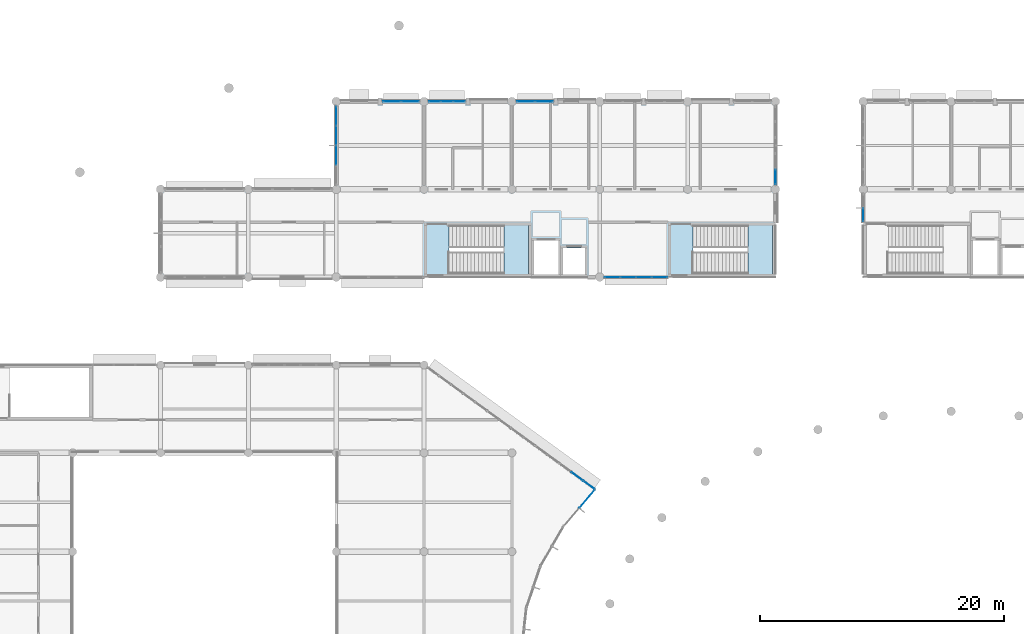
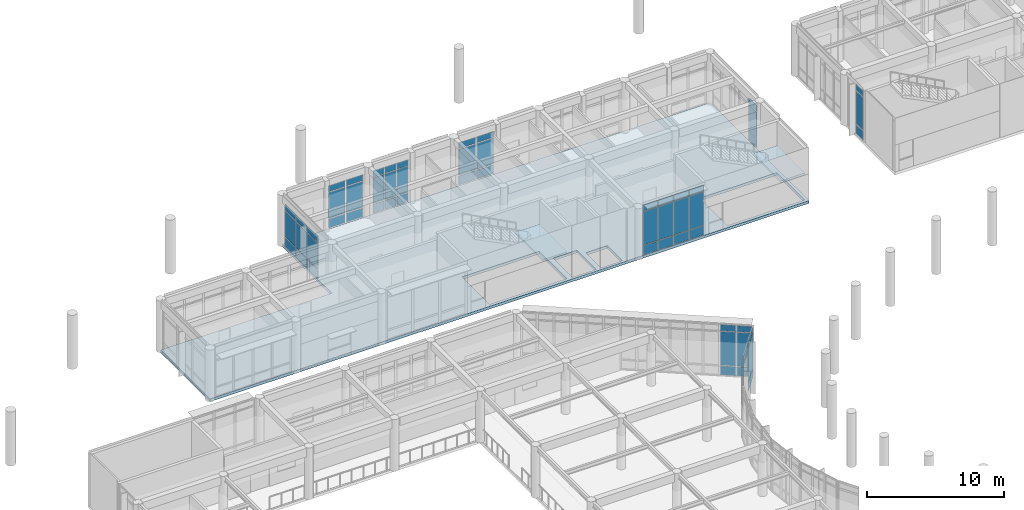
# One storey, part 41 of 92: 57 plates, 3 slabs, 11 elements without a shape of their own.
"""IFC4 building model written with IfcOpenShell, lengths in metres."""

from ifc_helpers import new_model, si_unit, direction, frame, origin, origin_2d, place, context, subcontext, project, spatial, polyline, rectangle, outline, extrude, material, layer, layer_set, type_object, element, aggregate, save


model = new_model("IFC4")

# Units and contexts
model_context = context("Model", 3, precision=1e-05, world=origin(), true_north=direction((0.0, 1.0)))
body_context = subcontext(model_context, "Body", "Model", "MODEL_VIEW")
ifc_project = project(units=[si_unit("LENGTHUNIT", "METRE"), si_unit("AREAUNIT", "SQUARE_METRE"), si_unit("VOLUMEUNIT", "CUBIC_METRE"), si_unit("PLANEANGLEUNIT", "RADIAN"), si_unit("MASSUNIT", "GRAM", prefix="KILO")], contexts=[model_context])

# Site, building, storey
site_placement = place(None, origin())
site = spatial("IfcSite", under=ifc_project, at=site_placement, CompositionType="ELEMENT")
building_placement = place(site_placement, origin())
building = spatial("IfcBuilding", under=site, at=building_placement, Name="Namkhue Oval Health Centre", CompositionType="ELEMENT")
storey_placement = place(building_placement, frame((0.0, 0.0, 4.800048828125)))
storey = spatial("IfcBuildingStorey", under=building, at=storey_placement, Name="L01", CompositionType="ELEMENT", Elevation=4.800048828125)

# Curtain wall, plates
ifc_material_1 = material(Name="Anodised aluminium EN AW-6063 T6", Category="aluminium")
ifc_layer_1 = layer(ifc_material_1, 0.159912109375)
ifc_layer_set_1 = layer_set([ifc_layer_1], Name="Anodised aluminium EN AW-6063 T6")
curtain_wall_type_1 = type_object("IfcCurtainWallType", Name="UNITISED CURTAIN WALL M1200", PredefinedType="NOTDEFINED", material=ifc_layer_set_1)
curtain_wall_1_placement = place(storey_placement, origin())
curtain_wall_1 = element("IfcCurtainWall", 1, at=curtain_wall_1_placement, inside=storey, type_object=curtain_wall_type_1, Name="Volume V2 L01 Unitised Curtain Wall 49", PredefinedType="NOTDEFINED")
ifc_material_2 = material(Name="Thermally broken low-E laminated double glazing", Category="glass")
ifc_layer_2 = layer(ifc_material_2, 0.02587890625)
ifc_layer_set_2 = layer_set([ifc_layer_2], Name="Thermally broken low-E laminated double glazing")
plate_type_1 = type_object("IfcPlateType", Name="CURTAIN WALL GLAZED PANEL 26", PredefinedType="CURTAIN_PANEL", material=ifc_layer_set_2)
plate_1_placement = place(storey_placement, frame((73.029052734375, 90.0, 0.06494140625), z_axis=(0.0, 0.0, 1.0), x_axis=(1.0, 0.0, 0.0)))
plate_1 = element("IfcPlate", 2, at=plate_1_placement, type_object=plate_type_1, Name="CW-01 panel 1.1", PredefinedType="CURTAIN_PANEL", context=body_context, shape_type="SweptSolid", body=[
    extrude(rectangle(XDim=1.208251953125, YDim=0.02587890625, at=origin_2d()), origin(), (0.0, 0.0, 1.0), 0.802490234375),
])
plate_2_placement = place(storey_placement, frame((73.029052734375, 90.0, 0.932373046875), z_axis=(0.0, 0.0, 1.0), x_axis=(1.0, 0.0, 0.0)))
plate_2 = element("IfcPlate", 3, at=plate_2_placement, type_object=plate_type_1, Name="CW-01 panel 1.2", PredefinedType="CURTAIN_PANEL", context=body_context, shape_type="SweptSolid", body=[
    extrude(rectangle(XDim=1.208251953125, YDim=0.02587890625, at=origin_2d()), origin(), (0.0, 0.0, 1.0), 2.93994140625),
])
plate_3_placement = place(storey_placement, frame((73.029052734375, 90.0, 3.9375), z_axis=(0.0, 0.0, 1.0), x_axis=(1.0, 0.0, 0.0)))
plate_3 = element("IfcPlate", 4, at=plate_3_placement, type_object=plate_type_1, Name="CW-01 panel 1.3", PredefinedType="CURTAIN_PANEL", context=body_context, shape_type="SweptSolid", body=[
    extrude(rectangle(XDim=1.208251953125, YDim=0.02587890625, at=origin_2d()), origin(), (0.0, 0.0, 1.0), 0.552490234375),
])
plate_4_placement = place(storey_placement, frame((74.318603515625, 90.0, 0.06494140625), z_axis=(0.0, 0.0, 1.0), x_axis=(1.0, 0.0, 0.0)))
plate_4 = element("IfcPlate", 5, at=plate_4_placement, type_object=plate_type_1, Name="CW-01 panel 2.1", PredefinedType="CURTAIN_PANEL", context=body_context, shape_type="SweptSolid", body=[
    extrude(rectangle(XDim=1.24072265625, YDim=0.02587890625, at=origin_2d()), origin(), (0.0, 0.0, 1.0), 0.802490234375),
])
plate_5_placement = place(storey_placement, frame((74.318603515625, 90.0, 0.932373046875), z_axis=(0.0, 0.0, 1.0), x_axis=(1.0, 0.0, 0.0)))
plate_5 = element("IfcPlate", 6, at=plate_5_placement, type_object=plate_type_1, Name="CW-01 panel 2.2", PredefinedType="CURTAIN_PANEL", context=body_context, shape_type="SweptSolid", body=[
    extrude(rectangle(XDim=1.24072265625, YDim=0.02587890625, at=origin_2d()), origin(), (0.0, 0.0, 1.0), 2.93994140625),
])
plate_6_placement = place(storey_placement, frame((74.318603515625, 90.0, 3.9375), z_axis=(0.0, 0.0, 1.0), x_axis=(1.0, 0.0, 0.0)))
plate_6 = element("IfcPlate", 7, at=plate_6_placement, type_object=plate_type_1, Name="CW-01 panel 2.3", PredefinedType="CURTAIN_PANEL", context=body_context, shape_type="SweptSolid", body=[
    extrude(rectangle(XDim=1.24072265625, YDim=0.02587890625, at=origin_2d()), origin(), (0.0, 0.0, 1.0), 0.552490234375),
])
plate_7_placement = place(storey_placement, frame((75.624267578125, 90.0, 0.06494140625), z_axis=(0.0, 0.0, 1.0), x_axis=(1.0, 0.0, 0.0)))
plate_7 = element("IfcPlate", 8, at=plate_7_placement, type_object=plate_type_1, Name="CW-01 panel 3.1", PredefinedType="CURTAIN_PANEL", context=body_context, shape_type="SweptSolid", body=[
    extrude(rectangle(XDim=1.24072265625, YDim=0.02587890625, at=origin_2d()), origin(), (0.0, 0.0, 1.0), 0.802490234375),
])
plate_8_placement = place(storey_placement, frame((75.624267578125, 90.0, 0.932373046875), z_axis=(0.0, 0.0, 1.0), x_axis=(1.0, 0.0, 0.0)))
plate_8 = element("IfcPlate", 9, at=plate_8_placement, type_object=plate_type_1, Name="CW-01 panel 3.2", PredefinedType="CURTAIN_PANEL", context=body_context, shape_type="SweptSolid", body=[
    extrude(rectangle(XDim=1.24072265625, YDim=0.02587890625, at=origin_2d()), origin(), (0.0, 0.0, 1.0), 2.93994140625),
])
plate_9_placement = place(storey_placement, frame((75.624267578125, 90.0, 3.9375), z_axis=(0.0, 0.0, 1.0), x_axis=(1.0, 0.0, 0.0)))
plate_9 = element("IfcPlate", 10, at=plate_9_placement, type_object=plate_type_1, Name="CW-01 panel 3.3", PredefinedType="CURTAIN_PANEL", context=body_context, shape_type="SweptSolid", body=[
    extrude(rectangle(XDim=1.24072265625, YDim=0.02587890625, at=origin_2d()), origin(), (0.0, 0.0, 1.0), 0.552490234375),
])
plate_10_placement = place(storey_placement, frame((76.913818359375, 90.0, 0.06494140625), z_axis=(0.0, 0.0, 1.0), x_axis=(1.0, 0.0, 0.0)))
plate_10 = element("IfcPlate", 11, at=plate_10_placement, type_object=plate_type_1, Name="CW-01 panel 4.1", PredefinedType="CURTAIN_PANEL", context=body_context, shape_type="SweptSolid", body=[
    extrude(rectangle(XDim=1.208251953125, YDim=0.02587890625, at=origin_2d()), origin(), (0.0, 0.0, 1.0), 0.802490234375),
])
plate_11_placement = place(storey_placement, frame((76.913818359375, 90.0, 0.932373046875), z_axis=(0.0, 0.0, 1.0), x_axis=(1.0, 0.0, 0.0)))
plate_11 = element("IfcPlate", 12, at=plate_11_placement, type_object=plate_type_1, Name="CW-01 panel 4.2", PredefinedType="CURTAIN_PANEL", context=body_context, shape_type="SweptSolid", body=[
    extrude(rectangle(XDim=1.208251953125, YDim=0.02587890625, at=origin_2d()), origin(), (0.0, 0.0, 1.0), 2.93994140625),
])
plate_12_placement = place(storey_placement, frame((76.913818359375, 90.0, 3.9375), z_axis=(0.0, 0.0, 1.0), x_axis=(1.0, 0.0, 0.0)))
plate_12 = element("IfcPlate", 13, at=plate_12_placement, type_object=plate_type_1, Name="CW-01 panel 4.3", PredefinedType="CURTAIN_PANEL", context=body_context, shape_type="SweptSolid", body=[
    extrude(rectangle(XDim=1.208251953125, YDim=0.02587890625, at=origin_2d()), origin(), (0.0, 0.0, 1.0), 0.552490234375),
])
aggregate(curtain_wall_1, [plate_1, plate_2, plate_3, plate_4, plate_5, plate_6, plate_7, plate_8, plate_9, plate_10, plate_11, plate_12])

ifc_layer_3 = layer(ifc_material_1, 0.159912109375)
ifc_layer_set_3 = layer_set([ifc_layer_3], Name="Anodised aluminium EN AW-6063 T6")
curtain_wall_type_2 = type_object("IfcCurtainWallType", Name="UNITISED CURTAIN WALL M1500", PredefinedType="NOTDEFINED", material=ifc_layer_set_3)
curtain_wall_2_placement = place(storey_placement, origin())
curtain_wall_2 = element("IfcCurtainWall", 14, at=curtain_wall_2_placement, inside=storey, type_object=curtain_wall_type_2, Name="Volume V2 L01 Unitised Curtain Wall 57", PredefinedType="NOTDEFINED")
plate_13_placement = place(storey_placement, frame((50.39990234375, 103.2138671875, 0.06494140625), z_axis=(0.0, 0.0, 1.0), x_axis=(0.0, -1.0, 0.0)))
plate_13 = element("IfcPlate", 15, at=plate_13_placement, type_object=plate_type_1, Name="CW-03 panel 1.1", PredefinedType="CURTAIN_PANEL", context=body_context, shape_type="SweptSolid", body=[
    extrude(rectangle(XDim=1.5224609375, YDim=0.02587890625, at=origin_2d()), origin(), (0.0, 0.0, 1.0), 0.802490234375),
])
plate_14_placement = place(storey_placement, frame((50.39990234375, 103.2138671875, 0.932373046875), z_axis=(0.0, 0.0, 1.0), x_axis=(0.0, -1.0, 0.0)))
plate_14 = element("IfcPlate", 16, at=plate_14_placement, type_object=plate_type_1, Name="CW-03 panel 1.2", PredefinedType="CURTAIN_PANEL", context=body_context, shape_type="SweptSolid", body=[
    extrude(rectangle(XDim=1.5224609375, YDim=0.02587890625, at=origin_2d()), origin(), (0.0, 0.0, 1.0), 2.2900390625),
])
plate_15_placement = place(storey_placement, frame((50.39990234375, 103.2138671875, 3.28759765625), z_axis=(0.0, 0.0, 1.0), x_axis=(0.0, -1.0, 0.0)))
plate_15 = element("IfcPlate", 17, at=plate_15_placement, type_object=plate_type_1, Name="CW-03 panel 1.3", PredefinedType="CURTAIN_PANEL", context=body_context, shape_type="SweptSolid", body=[
    extrude(rectangle(XDim=1.5224609375, YDim=0.02587890625, at=origin_2d()), origin(), (0.0, 0.0, 1.0), 0.552490234375),
])
plate_16_placement = place(storey_placement, frame((50.39990234375, 101.610107421875, 0.06494140625), z_axis=(0.0, 0.0, 1.0), x_axis=(0.0, -1.0, 0.0)))
plate_16 = element("IfcPlate", 18, at=plate_16_placement, type_object=plate_type_1, Name="CW-03 panel 2.1", PredefinedType="CURTAIN_PANEL", context=body_context, shape_type="SweptSolid", body=[
    extrude(rectangle(XDim=1.554931640625, YDim=0.02587890625, at=origin_2d()), origin(), (0.0, 0.0, 1.0), 0.802490234375),
])
plate_17_placement = place(storey_placement, frame((50.39990234375, 101.610107421875, 0.932373046875), z_axis=(0.0, 0.0, 1.0), x_axis=(0.0, -1.0, 0.0)))
plate_17 = element("IfcPlate", 19, at=plate_17_placement, type_object=plate_type_1, Name="CW-03 panel 2.2", PredefinedType="CURTAIN_PANEL", context=body_context, shape_type="SweptSolid", body=[
    extrude(rectangle(XDim=1.554931640625, YDim=0.02587890625, at=origin_2d()), origin(), (0.0, 0.0, 1.0), 2.2900390625),
])
plate_18_placement = place(storey_placement, frame((50.39990234375, 101.610107421875, 3.28759765625), z_axis=(0.0, 0.0, 1.0), x_axis=(0.0, -1.0, 0.0)))
plate_18 = element("IfcPlate", 20, at=plate_18_placement, type_object=plate_type_1, Name="CW-03 panel 2.3", PredefinedType="CURTAIN_PANEL", context=body_context, shape_type="SweptSolid", body=[
    extrude(rectangle(XDim=1.554931640625, YDim=0.02587890625, at=origin_2d()), origin(), (0.0, 0.0, 1.0), 0.552490234375),
])
plate_19_placement = place(storey_placement, frame((50.39990234375, 99.989990234375, 0.06494140625), z_axis=(0.0, 0.0, 1.0), x_axis=(0.0, -1.0, 0.0)))
plate_19 = element("IfcPlate", 21, at=plate_19_placement, type_object=plate_type_1, Name="CW-03 panel 3.1", PredefinedType="CURTAIN_PANEL", context=body_context, shape_type="SweptSolid", body=[
    extrude(rectangle(XDim=1.554931640625, YDim=0.02587890625, at=origin_2d()), origin(), (0.0, 0.0, 1.0), 0.802490234375),
])
plate_20_placement = place(storey_placement, frame((50.39990234375, 99.989990234375, 0.932373046875), z_axis=(0.0, 0.0, 1.0), x_axis=(0.0, -1.0, 0.0)))
plate_20 = element("IfcPlate", 22, at=plate_20_placement, type_object=plate_type_1, Name="CW-03 panel 3.2", PredefinedType="CURTAIN_PANEL", context=body_context, shape_type="SweptSolid", body=[
    extrude(rectangle(XDim=1.554931640625, YDim=0.02587890625, at=origin_2d()), origin(), (0.0, 0.0, 1.0), 2.2900390625),
])
plate_21_placement = place(storey_placement, frame((50.39990234375, 99.989990234375, 3.28759765625), z_axis=(0.0, 0.0, 1.0), x_axis=(0.0, -1.0, 0.0)))
plate_21 = element("IfcPlate", 23, at=plate_21_placement, type_object=plate_type_1, Name="CW-03 panel 3.3", PredefinedType="CURTAIN_PANEL", context=body_context, shape_type="SweptSolid", body=[
    extrude(rectangle(XDim=1.554931640625, YDim=0.02587890625, at=origin_2d()), origin(), (0.0, 0.0, 1.0), 0.552490234375),
])
aggregate(curtain_wall_2, [plate_13, plate_14, plate_15, plate_16, plate_17, plate_18, plate_19, plate_20, plate_21])

ifc_layer_4 = layer(ifc_material_1, 0.159912109375)
ifc_layer_set_4 = layer_set([ifc_layer_4], Name="Anodised aluminium EN AW-6063 T6")
curtain_wall_type_3 = type_object("IfcCurtainWallType", Name="UNITISED CURTAIN WALL M2000", PredefinedType="NOTDEFINED", material=ifc_layer_set_4)
curtain_wall_3_placement = place(storey_placement, origin())
curtain_wall_3 = element("IfcCurtainWall", 24, at=curtain_wall_3_placement, inside=storey, type_object=curtain_wall_type_3, Name="Volume V1 L01 Unitised Curtain Wall 30", PredefinedType="NOTDEFINED")
ifc_layer_5 = layer(ifc_material_2, 0.028076171875)
ifc_layer_set_5 = layer_set([ifc_layer_5], Name="Thermally broken low-E laminated double glazing")
plate_type_2 = type_object("IfcPlateType", Name="CURTAIN WALL GLAZED PANEL 28", PredefinedType="CURTAIN_PANEL", material=ifc_layer_set_5)
plate_22_placement = place(storey_placement, frame((70.95849609375, 71.823486328125, 0.074951171875), z_axis=(0.0, 0.0, 1.0), x_axis=(0.648746071067, 0.761004950887, 0.0)))
plate_22 = element("IfcPlate", 25, at=plate_22_placement, type_object=plate_type_2, Name="CW-06 panel 2.1", PredefinedType="CURTAIN_PANEL", context=body_context, shape_type="SweptSolid", body=[
    extrude(rectangle(XDim=1.8828125, YDim=0.028076171875, at=origin_2d()), origin(), (0.0, 0.0, 1.0), 0.78759765625),
])
plate_23_placement = place(storey_placement, frame((70.95849609375, 71.823486328125, 0.9375), z_axis=(0.0, 0.0, 1.0), x_axis=(0.648746071067, 0.761004950887, 0.0)))
plate_23 = element("IfcPlate", 26, at=plate_23_placement, type_object=plate_type_2, Name="CW-06 panel 2.2", PredefinedType="CURTAIN_PANEL", context=body_context, shape_type="SweptSolid", body=[
    extrude(rectangle(XDim=1.8828125, YDim=0.028076171875, at=origin_2d()), origin(), (0.0, 0.0, 1.0), 2.97509765625),
])
plate_24_placement = place(storey_placement, frame((70.95849609375, 71.823486328125, 3.9873046875), z_axis=(0.0, 0.0, 1.0), x_axis=(0.648746071067, 0.761004950887, 0.0)))
plate_24 = element("IfcPlate", 27, at=plate_24_placement, type_object=plate_type_2, Name="CW-06 panel 2.3", PredefinedType="CURTAIN_PANEL", context=body_context, shape_type="SweptSolid", body=[
    extrude(rectangle(XDim=1.8828125, YDim=0.028076171875, at=origin_2d()), origin(), (0.0, 0.0, 1.0), 0.53759765625),
])
aggregate(curtain_wall_3, [plate_22, plate_23, plate_24])

ifc_layer_6 = layer(ifc_material_1, 0.159912109375)
ifc_layer_set_6 = layer_set([ifc_layer_6], Name="Anodised aluminium EN AW-6063 T6")
curtain_wall_type_4 = type_object("IfcCurtainWallType", Name="UNITISED CURTAIN WALL M1350", PredefinedType="NOTDEFINED", material=ifc_layer_set_6)
curtain_wall_4_placement = place(storey_placement, origin())
curtain_wall_4 = element("IfcCurtainWall", 28, at=curtain_wall_4_placement, inside=storey, type_object=curtain_wall_type_4, Name="Volume V2 L01 Unitised Curtain Wall 50", PredefinedType="NOTDEFINED")
plate_25_placement = place(storey_placement, frame((86.39990234375, 98.226806640625, 0.074951171875), z_axis=(0.0, 0.0, 1.0), x_axis=(0.0, 1.0, 0.0)))
plate_25 = element("IfcPlate", 29, at=plate_25_placement, type_object=plate_type_2, Name="CW-02 panel 1.1", PredefinedType="CURTAIN_PANEL", context=body_context, shape_type="SweptSolid", body=[
    extrude(rectangle(XDim=1.18359375, YDim=0.028076171875, at=origin_2d()), origin(), (0.0, 0.0, 1.0), 0.78759765625),
])
plate_26_placement = place(storey_placement, frame((86.39990234375, 98.226806640625, 0.9375), z_axis=(0.0, 0.0, 1.0), x_axis=(0.0, 1.0, 0.0)))
plate_26 = element("IfcPlate", 30, at=plate_26_placement, type_object=plate_type_2, Name="CW-02 panel 1.2", PredefinedType="CURTAIN_PANEL", context=body_context, shape_type="SweptSolid", body=[
    extrude(rectangle(XDim=1.18359375, YDim=0.028076171875, at=origin_2d()), origin(), (0.0, 0.0, 1.0), 2.280029296875),
])
plate_27_placement = place(storey_placement, frame((86.39990234375, 98.226806640625, 3.29248046875), z_axis=(0.0, 0.0, 1.0), x_axis=(0.0, 1.0, 0.0)))
plate_27 = element("IfcPlate", 31, at=plate_27_placement, type_object=plate_type_2, Name="CW-02 panel 1.3", PredefinedType="CURTAIN_PANEL", context=body_context, shape_type="SweptSolid", body=[
    extrude(rectangle(XDim=1.18359375, YDim=0.028076171875, at=origin_2d()), origin(), (0.0, 0.0, 1.0), 0.53759765625),
])
aggregate(curtain_wall_4, [plate_25, plate_26, plate_27])

curtain_wall_5_placement = place(storey_placement, origin())
curtain_wall_5 = element("IfcCurtainWall", 32, at=curtain_wall_5_placement, inside=storey, type_object=curtain_wall_type_3, Name="Volume V2 L01 Unitised Curtain Wall 54", PredefinedType="NOTDEFINED")
plate_28_placement = place(storey_placement, frame((67.431640625, 104.39990234375, 0.074951171875), z_axis=(0.0, 0.0, 1.0), x_axis=(-1.0, 0.0, 0.0)))
plate_28 = element("IfcPlate", 33, at=plate_28_placement, type_object=plate_type_2, Name="CW-06 panel 1.1", PredefinedType="CURTAIN_PANEL", context=body_context, shape_type="SweptSolid", body=[
    extrude(rectangle(XDim=1.41455078125, YDim=0.028076171875, at=origin_2d()), origin(), (0.0, 0.0, 1.0), 0.78759765625),
])
plate_29_placement = place(storey_placement, frame((67.431640625, 104.39990234375, 0.9375), z_axis=(0.0, 0.0, 1.0), x_axis=(-1.0, 0.0, 0.0)))
plate_29 = element("IfcPlate", 34, at=plate_29_placement, type_object=plate_type_2, Name="CW-06 panel 1.2", PredefinedType="CURTAIN_PANEL", context=body_context, shape_type="SweptSolid", body=[
    extrude(rectangle(XDim=1.41455078125, YDim=0.028076171875, at=origin_2d()), origin(), (0.0, 0.0, 1.0), 2.280029296875),
])
plate_30_placement = place(storey_placement, frame((67.431640625, 104.39990234375, 3.29248046875), z_axis=(0.0, 0.0, 1.0), x_axis=(-1.0, 0.0, 0.0)))
plate_30 = element("IfcPlate", 35, at=plate_30_placement, type_object=plate_type_2, Name="CW-06 panel 1.3", PredefinedType="CURTAIN_PANEL", context=body_context, shape_type="SweptSolid", body=[
    extrude(rectangle(XDim=1.41455078125, YDim=0.028076171875, at=origin_2d()), origin(), (0.0, 0.0, 1.0), 0.53759765625),
])
plate_31_placement = place(storey_placement, frame((65.942138671875, 104.39990234375, 0.074951171875), z_axis=(0.0, 0.0, 1.0), x_axis=(-1.0, 0.0, 0.0)))
plate_31 = element("IfcPlate", 36, at=plate_31_placement, type_object=plate_type_2, Name="CW-06 panel 2.1", PredefinedType="CURTAIN_PANEL", context=body_context, shape_type="SweptSolid", body=[
    extrude(rectangle(XDim=1.41455078125, YDim=0.028076171875, at=origin_2d()), origin(), (0.0, 0.0, 1.0), 0.78759765625),
])
plate_32_placement = place(storey_placement, frame((65.942138671875, 104.39990234375, 0.9375), z_axis=(0.0, 0.0, 1.0), x_axis=(-1.0, 0.0, 0.0)))
plate_32 = element("IfcPlate", 37, at=plate_32_placement, type_object=plate_type_2, Name="CW-06 panel 2.2", PredefinedType="CURTAIN_PANEL", context=body_context, shape_type="SweptSolid", body=[
    extrude(rectangle(XDim=1.41455078125, YDim=0.028076171875, at=origin_2d()), origin(), (0.0, 0.0, 1.0), 2.280029296875),
])
plate_33_placement = place(storey_placement, frame((65.942138671875, 104.39990234375, 3.29248046875), z_axis=(0.0, 0.0, 1.0), x_axis=(-1.0, 0.0, 0.0)))
plate_33 = element("IfcPlate", 38, at=plate_33_placement, type_object=plate_type_2, Name="CW-06 panel 2.3", PredefinedType="CURTAIN_PANEL", context=body_context, shape_type="SweptSolid", body=[
    extrude(rectangle(XDim=1.41455078125, YDim=0.028076171875, at=origin_2d()), origin(), (0.0, 0.0, 1.0), 0.53759765625),
])
aggregate(curtain_wall_5, [plate_28, plate_29, plate_30, plate_31, plate_32, plate_33])

curtain_wall_6_placement = place(storey_placement, origin())
curtain_wall_6 = element("IfcCurtainWall", 39, at=curtain_wall_6_placement, inside=storey, type_object=curtain_wall_type_4, Name="Volume V3 L01 Unitised Curtain Wall 110", PredefinedType="NOTDEFINED")
plate_34_placement = place(storey_placement, frame((93.60009765625, 95.116455078125, 0.074951171875), z_axis=(0.0, 0.0, 1.0), x_axis=(0.0, -1.0, 0.0)))
plate_34 = element("IfcPlate", 40, at=plate_34_placement, type_object=plate_type_2, Name="CW-02 panel 2.1", PredefinedType="CURTAIN_PANEL", context=body_context, shape_type="SweptSolid", body=[
    extrude(rectangle(XDim=1.049072265625, YDim=0.028076171875, at=origin_2d()), origin(), (0.0, 0.0, 1.0), 0.78759765625),
])
plate_35_placement = place(storey_placement, frame((93.60009765625, 95.116455078125, 0.9375), z_axis=(0.0, 0.0, 1.0), x_axis=(0.0, -1.0, 0.0)))
plate_35 = element("IfcPlate", 41, at=plate_35_placement, type_object=plate_type_2, Name="CW-02 panel 2.2", PredefinedType="CURTAIN_PANEL", context=body_context, shape_type="SweptSolid", body=[
    extrude(rectangle(XDim=1.049072265625, YDim=0.028076171875, at=origin_2d()), origin(), (0.0, 0.0, 1.0), 2.905029296875),
])
plate_36_placement = place(storey_placement, frame((93.60009765625, 95.116455078125, 3.91748046875), z_axis=(0.0, 0.0, 1.0), x_axis=(0.0, -1.0, 0.0)))
plate_36 = element("IfcPlate", 42, at=plate_36_placement, type_object=plate_type_2, Name="CW-02 panel 2.3", PredefinedType="CURTAIN_PANEL", context=body_context, shape_type="SweptSolid", body=[
    extrude(rectangle(XDim=1.049072265625, YDim=0.028076171875, at=origin_2d()), origin(), (0.0, 0.0, 1.0), 0.53759765625),
])
aggregate(curtain_wall_6, [plate_34, plate_35, plate_36])

curtain_wall_7_placement = place(storey_placement, origin())
curtain_wall_7 = element("IfcCurtainWall", 43, at=curtain_wall_7_placement, inside=storey, type_object=curtain_wall_type_1, Name="Volume V1 L01 Unitised Curtain Wall 31", PredefinedType="NOTDEFINED")
ifc_material_3 = material(Name="Insulated anodised aluminium spandrel panel", Category="aluminium")
ifc_layer_7 = layer(ifc_material_3, 0.031982421875)
ifc_layer_set_7 = layer_set([ifc_layer_7], Name="Insulated anodised aluminium spandrel panel")
plate_type_3 = type_object("IfcPlateType", Name="CURTAIN WALL SPANDREL PANEL 32", PredefinedType="CURTAIN_PANEL", material=ifc_layer_set_7)
plate_37_placement = place(storey_placement, frame((71.11376953125, 72.9638671875, 0.06494140625), z_axis=(0.0, 0.0, 1.0), x_axis=(-0.808513999682, 0.588476942894, 0.0)))
plate_37 = element("IfcPlate", 44, at=plate_37_placement, type_object=plate_type_3, Name="CW-01 panel 1.1", PredefinedType="CURTAIN_PANEL", context=body_context, shape_type="SweptSolid", body=[
    extrude(rectangle(XDim=1.116943359375, YDim=0.031982421875, at=origin_2d()), origin(), (0.0, 0.0, 1.0), 0.802490234375),
])
plate_38_placement = place(storey_placement, frame((71.11376953125, 72.9638671875, 0.9326171875), z_axis=(0.0, 0.0, 1.0), x_axis=(-0.808513999682, 0.588476942894, 0.0)))
plate_38 = element("IfcPlate", 45, at=plate_38_placement, type_object=plate_type_3, Name="CW-01 panel 1.2", PredefinedType="CURTAIN_PANEL", context=body_context, shape_type="SweptSolid", body=[
    extrude(rectangle(XDim=1.116943359375, YDim=0.031982421875, at=origin_2d()), origin(), (0.0, 0.0, 1.0), 2.985107421875),
])
plate_39_placement = place(storey_placement, frame((71.11376953125, 72.9638671875, 3.982421875), z_axis=(0.0, 0.0, 1.0), x_axis=(-0.808513999682, 0.588476942894, 0.0)))
plate_39 = element("IfcPlate", 46, at=plate_39_placement, type_object=plate_type_3, Name="CW-01 panel 1.3", PredefinedType="CURTAIN_PANEL", context=body_context, shape_type="SweptSolid", body=[
    extrude(rectangle(XDim=1.116943359375, YDim=0.031982421875, at=origin_2d()), origin(), (0.0, 0.0, 1.0), 0.552490234375),
])
plate_40_placement = place(storey_placement, frame((70.14501953125, 73.6689453125, 0.06494140625), z_axis=(0.0, 0.0, 1.0), x_axis=(-0.808513999682, 0.588476942894, 0.0)))
plate_40 = element("IfcPlate", 47, at=plate_40_placement, type_object=plate_type_3, Name="CW-01 panel 2.1", PredefinedType="CURTAIN_PANEL", context=body_context, shape_type="SweptSolid", body=[
    extrude(rectangle(XDim=1.1494140625, YDim=0.031982421875, at=origin_2d()), origin(), (0.0, 0.0, 1.0), 0.802490234375),
])
plate_41_placement = place(storey_placement, frame((70.14501953125, 73.6689453125, 0.9326171875), z_axis=(0.0, 0.0, 1.0), x_axis=(-0.808513999682, 0.588476942894, 0.0)))
plate_41 = element("IfcPlate", 48, at=plate_41_placement, type_object=plate_type_3, Name="CW-01 panel 2.2", PredefinedType="CURTAIN_PANEL", context=body_context, shape_type="SweptSolid", body=[
    extrude(rectangle(XDim=1.1494140625, YDim=0.031982421875, at=origin_2d()), origin(), (0.0, 0.0, 1.0), 2.985107421875),
])
plate_42_placement = place(storey_placement, frame((70.14501953125, 73.6689453125, 3.982421875), z_axis=(0.0, 0.0, 1.0), x_axis=(-0.808513999682, 0.588476942894, 0.0)))
plate_42 = element("IfcPlate", 49, at=plate_42_placement, type_object=plate_type_3, Name="CW-01 panel 2.3", PredefinedType="CURTAIN_PANEL", context=body_context, shape_type="SweptSolid", body=[
    extrude(rectangle(XDim=1.1494140625, YDim=0.031982421875, at=origin_2d()), origin(), (0.0, 0.0, 1.0), 0.552490234375),
])
aggregate(curtain_wall_7, [plate_37, plate_38, plate_39, plate_40, plate_41, plate_42])

curtain_wall_8_placement = place(storey_placement, origin())
curtain_wall_8 = element("IfcCurtainWall", 50, at=curtain_wall_8_placement, inside=storey, type_object=curtain_wall_type_1, Name="Volume V2 L01 Unitised Curtain Wall 55", PredefinedType="NOTDEFINED")
plate_43_placement = place(storey_placement, frame((60.48876953125, 104.39990234375, 0.06494140625), z_axis=(0.0, 0.0, 1.0), x_axis=(-1.0, 0.0, 0.0)))
plate_43 = element("IfcPlate", 51, at=plate_43_placement, type_object=plate_type_3, Name="CW-01 panel 1.1", PredefinedType="CURTAIN_PANEL", context=body_context, shape_type="SweptSolid", body=[
    extrude(rectangle(XDim=0.92041015625, YDim=0.031982421875, at=origin_2d()), origin(), (0.0, 0.0, 1.0), 0.802490234375),
])
plate_44_placement = place(storey_placement, frame((60.48876953125, 104.39990234375, 0.932373046875), z_axis=(0.0, 0.0, 1.0), x_axis=(-1.0, 0.0, 0.0)))
plate_44 = element("IfcPlate", 52, at=plate_44_placement, type_object=plate_type_3, Name="CW-01 panel 1.2", PredefinedType="CURTAIN_PANEL", context=body_context, shape_type="SweptSolid", body=[
    extrude(rectangle(XDim=0.92041015625, YDim=0.031982421875, at=origin_2d()), origin(), (0.0, 0.0, 1.0), 2.2900390625),
])
plate_45_placement = place(storey_placement, frame((60.48876953125, 104.39990234375, 3.28759765625), z_axis=(0.0, 0.0, 1.0), x_axis=(-1.0, 0.0, 0.0)))
plate_45 = element("IfcPlate", 53, at=plate_45_placement, type_object=plate_type_3, Name="CW-01 panel 1.3", PredefinedType="CURTAIN_PANEL", context=body_context, shape_type="SweptSolid", body=[
    extrude(rectangle(XDim=0.92041015625, YDim=0.031982421875, at=origin_2d()), origin(), (0.0, 0.0, 1.0), 0.552490234375),
])
plate_46_placement = place(storey_placement, frame((59.487060546875, 104.39990234375, 0.06494140625), z_axis=(0.0, 0.0, 1.0), x_axis=(-1.0, 0.0, 0.0)))
plate_46 = element("IfcPlate", 54, at=plate_46_placement, type_object=plate_type_3, Name="CW-01 panel 2.1", PredefinedType="CURTAIN_PANEL", context=body_context, shape_type="SweptSolid", body=[
    extrude(rectangle(XDim=0.952880859375, YDim=0.031982421875, at=origin_2d()), origin(), (0.0, 0.0, 1.0), 0.802490234375),
])
plate_47_placement = place(storey_placement, frame((59.487060546875, 104.39990234375, 0.932373046875), z_axis=(0.0, 0.0, 1.0), x_axis=(-1.0, 0.0, 0.0)))
plate_47 = element("IfcPlate", 55, at=plate_47_placement, type_object=plate_type_3, Name="CW-01 panel 2.2", PredefinedType="CURTAIN_PANEL", context=body_context, shape_type="SweptSolid", body=[
    extrude(rectangle(XDim=0.952880859375, YDim=0.031982421875, at=origin_2d()), origin(), (0.0, 0.0, 1.0), 2.2900390625),
])
plate_48_placement = place(storey_placement, frame((59.487060546875, 104.39990234375, 3.28759765625), z_axis=(0.0, 0.0, 1.0), x_axis=(-1.0, 0.0, 0.0)))
plate_48 = element("IfcPlate", 56, at=plate_48_placement, type_object=plate_type_3, Name="CW-01 panel 2.3", PredefinedType="CURTAIN_PANEL", context=body_context, shape_type="SweptSolid", body=[
    extrude(rectangle(XDim=0.952880859375, YDim=0.031982421875, at=origin_2d()), origin(), (0.0, 0.0, 1.0), 0.552490234375),
])
plate_49_placement = place(storey_placement, frame((58.4853515625, 104.39990234375, 0.06494140625), z_axis=(0.0, 0.0, 1.0), x_axis=(-1.0, 0.0, 0.0)))
plate_49 = element("IfcPlate", 57, at=plate_49_placement, type_object=plate_type_3, Name="CW-01 panel 3.1", PredefinedType="CURTAIN_PANEL", context=body_context, shape_type="SweptSolid", body=[
    extrude(rectangle(XDim=0.92041015625, YDim=0.031982421875, at=origin_2d()), origin(), (0.0, 0.0, 1.0), 0.802490234375),
])
plate_50_placement = place(storey_placement, frame((58.4853515625, 104.39990234375, 0.932373046875), z_axis=(0.0, 0.0, 1.0), x_axis=(-1.0, 0.0, 0.0)))
plate_50 = element("IfcPlate", 58, at=plate_50_placement, type_object=plate_type_3, Name="CW-01 panel 3.2", PredefinedType="CURTAIN_PANEL", context=body_context, shape_type="SweptSolid", body=[
    extrude(rectangle(XDim=0.92041015625, YDim=0.031982421875, at=origin_2d()), origin(), (0.0, 0.0, 1.0), 2.2900390625),
])
plate_51_placement = place(storey_placement, frame((58.4853515625, 104.39990234375, 3.28759765625), z_axis=(0.0, 0.0, 1.0), x_axis=(-1.0, 0.0, 0.0)))
plate_51 = element("IfcPlate", 59, at=plate_51_placement, type_object=plate_type_3, Name="CW-01 panel 3.3", PredefinedType="CURTAIN_PANEL", context=body_context, shape_type="SweptSolid", body=[
    extrude(rectangle(XDim=0.92041015625, YDim=0.031982421875, at=origin_2d()), origin(), (0.0, 0.0, 1.0), 0.552490234375),
])
aggregate(curtain_wall_8, [plate_43, plate_44, plate_45, plate_46, plate_47, plate_48, plate_49, plate_50, plate_51])

curtain_wall_9_placement = place(storey_placement, origin())
curtain_wall_9 = element("IfcCurtainWall", 60, at=curtain_wall_9_placement, inside=storey, type_object=curtain_wall_type_4, Name="Volume V2 L01 Unitised Curtain Wall 56", PredefinedType="NOTDEFINED")
ifc_layer_8 = layer(ifc_material_3, 0.035888671875)
ifc_layer_set_8 = layer_set([ifc_layer_8], Name="Insulated anodised aluminium spandrel panel")
plate_type_4 = type_object("IfcPlateType", Name="CURTAIN WALL SPANDREL PANEL 36", PredefinedType="CURTAIN_PANEL", material=ifc_layer_set_8)
plate_52_placement = place(storey_placement, frame((56.457763671875, 104.39990234375, 0.074951171875), z_axis=(0.0, 0.0, 1.0), x_axis=(-1.0, 0.0, 0.0)))
plate_52 = element("IfcPlate", 61, at=plate_52_placement, type_object=plate_type_4, Name="CW-02 panel 1.1", PredefinedType="CURTAIN_PANEL", context=body_context, shape_type="SweptSolid", body=[
    extrude(rectangle(XDim=1.41455078125, YDim=0.035888671875, at=origin_2d()), origin(), (0.0, 0.0, 1.0), 0.78759765625),
])
plate_53_placement = place(storey_placement, frame((56.457763671875, 104.39990234375, 0.9375), z_axis=(0.0, 0.0, 1.0), x_axis=(-1.0, 0.0, 0.0)))
plate_53 = element("IfcPlate", 62, at=plate_53_placement, type_object=plate_type_4, Name="CW-02 panel 1.2", PredefinedType="CURTAIN_PANEL", context=body_context, shape_type="SweptSolid", body=[
    extrude(rectangle(XDim=1.41455078125, YDim=0.035888671875, at=origin_2d()), origin(), (0.0, 0.0, 1.0), 2.280029296875),
])
plate_54_placement = place(storey_placement, frame((56.457763671875, 104.39990234375, 3.29248046875), z_axis=(0.0, 0.0, 1.0), x_axis=(-1.0, 0.0, 0.0)))
plate_54 = element("IfcPlate", 63, at=plate_54_placement, type_object=plate_type_4, Name="CW-02 panel 1.3", PredefinedType="CURTAIN_PANEL", context=body_context, shape_type="SweptSolid", body=[
    extrude(rectangle(XDim=1.41455078125, YDim=0.035888671875, at=origin_2d()), origin(), (0.0, 0.0, 1.0), 0.53759765625),
])
plate_55_placement = place(storey_placement, frame((54.96826171875, 104.39990234375, 0.074951171875), z_axis=(0.0, 0.0, 1.0), x_axis=(-1.0, 0.0, 0.0)))
plate_55 = element("IfcPlate", 64, at=plate_55_placement, type_object=plate_type_4, Name="CW-02 panel 2.1", PredefinedType="CURTAIN_PANEL", context=body_context, shape_type="SweptSolid", body=[
    extrude(rectangle(XDim=1.41455078125, YDim=0.035888671875, at=origin_2d()), origin(), (0.0, 0.0, 1.0), 0.78759765625),
])
plate_56_placement = place(storey_placement, frame((54.96826171875, 104.39990234375, 0.9375), z_axis=(0.0, 0.0, 1.0), x_axis=(-1.0, 0.0, 0.0)))
plate_56 = element("IfcPlate", 65, at=plate_56_placement, type_object=plate_type_4, Name="CW-02 panel 2.2", PredefinedType="CURTAIN_PANEL", context=body_context, shape_type="SweptSolid", body=[
    extrude(rectangle(XDim=1.41455078125, YDim=0.035888671875, at=origin_2d()), origin(), (0.0, 0.0, 1.0), 2.280029296875),
])
plate_57_placement = place(storey_placement, frame((54.96826171875, 104.39990234375, 3.29248046875), z_axis=(0.0, 0.0, 1.0), x_axis=(-1.0, 0.0, 0.0)))
plate_57 = element("IfcPlate", 66, at=plate_57_placement, type_object=plate_type_4, Name="CW-02 panel 2.3", PredefinedType="CURTAIN_PANEL", context=body_context, shape_type="SweptSolid", body=[
    extrude(rectangle(XDim=1.41455078125, YDim=0.035888671875, at=origin_2d()), origin(), (0.0, 0.0, 1.0), 0.53759765625),
])
aggregate(curtain_wall_9, [plate_52, plate_53, plate_54, plate_55, plate_56, plate_57])

# Stair, slab
ifc_material_4 = material(Name="Reinforced concrete C30/37 (TCVN B35)", Category="concrete")
stair_type = type_object("IfcStairType", Name="DOGLEG EXIT STAIR H4800", PredefinedType="HALF_TURN_STAIR", material=ifc_material_4)
stair_1_placement = place(storey_placement, origin())
stair_1 = element("IfcStair", 67, at=stair_1_placement, inside=storey, type_object=stair_type, Name="Protected Exit Stair ST-03 L01", PredefinedType="HALF_TURN_STAIR")
ifc_layer_9 = layer(ifc_material_4, 0.179931640625)
ifc_layer_set_9 = layer_set([ifc_layer_9], Name="Reinforced concrete C30/37 (TCVN B35)")
slab_type_1 = type_object("IfcSlabType", Name="STAIR LANDING SLAB 180", PredefinedType="LANDING", material=ifc_layer_set_9)
slab_1_placement = place(storey_placement, frame((0.0, 0.0, 2.219970703125)))
slab_1 = element("IfcSlab", 68, at=slab_1_placement, type_object=slab_type_1, Name="ST-03 landing 1", PredefinedType="LANDING", context=body_context, shape_type="SweptSolid", body=[
    extrude(outline(polyline([(64.14501953125, 90.22509765625), (66.175048828125, 90.22509765625), (66.175048828125, 94.27490234375), (64.14501953125, 94.27490234375), (64.14501953125, 90.22509765625)])), origin(), (0.0, 0.0, 1.0), 0.179931640625),
])
aggregate(stair_1, [slab_1])

stair_2_placement = place(storey_placement, origin())
stair_2 = element("IfcStair", 69, at=stair_2_placement, inside=storey, type_object=stair_type, Name="Protected Exit Stair ST-04 L01", PredefinedType="HALF_TURN_STAIR")
slab_2_placement = place(storey_placement, frame((0.0, 0.0, 2.219970703125)))
slab_2 = element("IfcSlab", 70, at=slab_2_placement, type_object=slab_type_1, Name="ST-04 landing 1", PredefinedType="LANDING", context=body_context, shape_type="SweptSolid", body=[
    extrude(outline(polyline([(84.14501953125, 90.22509765625), (86.175048828125, 90.22509765625), (86.175048828125, 94.27490234375), (84.14501953125, 94.27490234375), (84.14501953125, 90.22509765625)])), origin(), (0.0, 0.0, 1.0), 0.179931640625),
])
aggregate(stair_2, [slab_2])

# Slab
ifc_layer_10 = layer(ifc_material_4, 0.239990234375)
ifc_layer_set_10 = layer_set([ifc_layer_10], Name="Reinforced concrete C30/37 (TCVN B35)")
slab_type_2 = type_object("IfcSlabType", Name="SUSPENDED FLOOR SLAB 240", PredefinedType="FLOOR", material=ifc_layer_set_10)
slab_3_placement = place(storey_placement, frame((0.0, 0.0, -0.239990234375)))
element("IfcSlab", 71, at=slab_3_placement, inside=storey, type_object=slab_type_2, Name="Volume V2 L01 Suspended Floor Slab", PredefinedType="FLOOR", context=body_context, shape_type="SweptSolid", body=[
    extrude(outline(polyline([(36.0, 90.0), (86.39990234375, 90.0), (86.39990234375, 104.39990234375), (50.39990234375, 104.39990234375), (50.39990234375, 97.199951171875), (36.0, 97.199951171875), (36.0, 90.0)]), holes=[polyline([(59.655029296875, 90.25), (66.14990234375, 90.25), (66.14990234375, 94.25), (59.655029296875, 94.25), (59.655029296875, 90.25)]), polyline([(79.655029296875, 90.25), (86.14990234375, 90.25), (86.14990234375, 94.25), (79.655029296875, 94.25), (79.655029296875, 90.25)]), polyline([(66.60009765625, 90.199951171875), (68.60009765625, 90.199951171875), (68.60009765625, 93.0), (66.60009765625, 93.0), (66.60009765625, 90.199951171875)]), polyline([(69.0, 90.199951171875), (70.800048828125, 90.199951171875), (70.800048828125, 92.39990234375), (69.0, 92.39990234375), (69.0, 90.199951171875)])]), origin(), (0.0, 0.0, 1.0), 0.239990234375),
])

save(model, "model.ifc")
